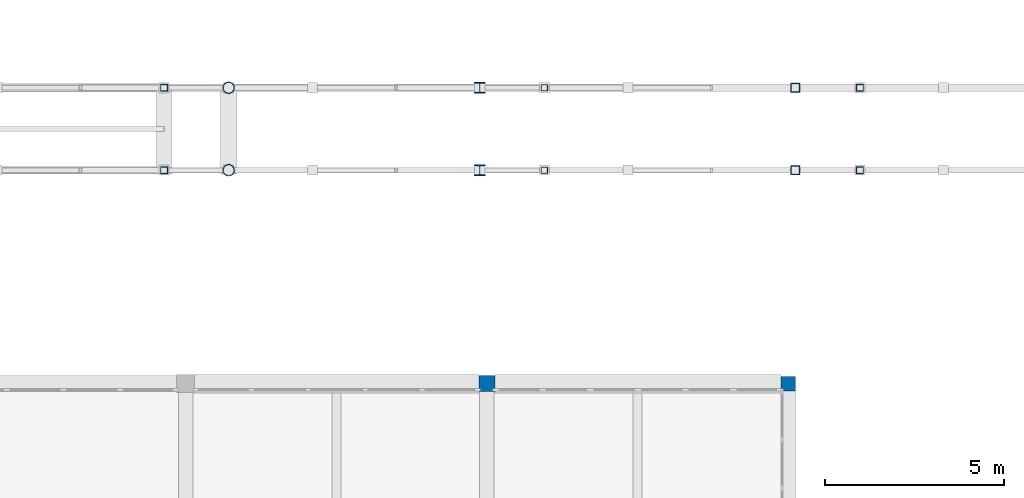
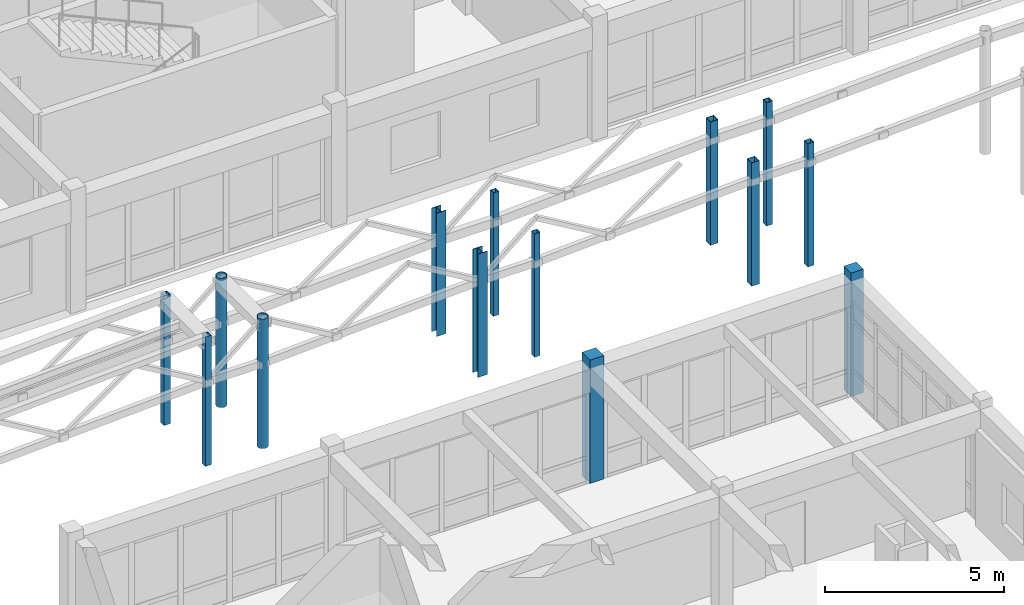
# One storey, part 3 of 147: 14 columns.
"""IFC4 building model written with IfcOpenShell, lengths in metres."""

import ifcopenshell
import ifcopenshell.guid

model = None  # the IFC model being written
_history = None  # IfcOwnerHistory: only IFC2X3 demands one
_inside = {}  # id of a spatial element -> (the spatial element, [elements in it])
_under = {}  # id of a project, library or spatial element -> (it, [spatial elements below it])
_declared = {}  # id of a project -> (the project, [libraries it declares])
_typed = {}  # id of a type object -> (the type object, [elements of that type])
_made_of = {}  # id of a material, layer set ... -> (it, [elements and type objects made of it])


def new_model(schema):
    """Start an empty IFC model of exactly this schema.

    Asked for "IFC4X3", IfcOpenShell would pick the latest addendum, in which some entities
    have other attributes; the version numbers below select the first issue.
    IFC2X3 requires an IfcOwnerHistory on every rooted entity: one is made here for all.
    """
    global model, _history
    if schema == "IFC4X3":
        model = ifcopenshell.file(schema_version=(4, 3, 0, 0))
    else:
        model = ifcopenshell.file(schema=schema)
    _inside.clear()
    _under.clear()
    _declared.clear()
    _typed.clear()
    _made_of.clear()
    _history = None
    if model.schema == "IFC2X3":
        org = make("IfcOrganization", Name="unknown")
        user = make(
            "IfcPersonAndOrganization",
            ThePerson=make("IfcPerson", FamilyName="unknown"),
            TheOrganization=org,
        )
        app = make(
            "IfcApplication",
            ApplicationDeveloper=org,
            Version="unknown",
            ApplicationFullName="unknown",
            ApplicationIdentifier="unknown",
        )
        _history = make(
            "IfcOwnerHistory",
            OwningUser=user,
            OwningApplication=app,
            ChangeAction="ADDED",
            CreationDate=0,
        )
    return model


def make(cls, **values):
    """One entity of the class cls with the attributes given. An attribute that is None is left unset."""
    return model.create_entity(
        cls, **{name: value for name, value in values.items() if value is not None}
    )


def rooted(cls, **values):
    """An entity with a GlobalId (a new one), such as an element, a storey or a relation."""
    return make(cls, GlobalId=ifcopenshell.guid.new(), OwnerHistory=_history, **values)


def si_unit(unit_type, name, prefix=None):
    """IfcSIUnit, for example si_unit("LENGTHUNIT", "METRE", prefix="MILLI")."""
    return make("IfcSIUnit", UnitType=unit_type, Prefix=prefix, Name=name)


def assignment(units):
    """IfcUnitAssignment: the units of a project."""
    return None if units is None else make("IfcUnitAssignment", Units=units)


def point(xyz):
    """IfcCartesianPoint."""
    return None if xyz is None else make("IfcCartesianPoint", Coordinates=xyz)


def direction(xyz):
    """IfcDirection."""
    return None if xyz is None else make("IfcDirection", DirectionRatios=xyz)


def frame(location, z_axis=None, x_axis=None):
    """IfcAxis2Placement3D, a coordinate frame: its origin and axes. An axis left out is left unset."""
    return make(
        "IfcAxis2Placement3D",
        Location=point(location),
        Axis=direction(z_axis),
        RefDirection=direction(x_axis),
    )


def frame_2d(location, x_axis=None):
    """IfcAxis2Placement2D, a coordinate frame in the plane: its origin and x axis."""
    return make(
        "IfcAxis2Placement2D", Location=point(location), RefDirection=direction(x_axis)
    )


def origin():
    """The frame at (0, 0, 0) with its axes left unset."""
    return frame((0.0, 0.0, 0.0))


def origin_2d():
    """The frame at (0, 0) in the plane with its x axis left unset."""
    return frame_2d((0.0, 0.0))


def place(relative_to, where):
    """IfcLocalPlacement: puts the frame where relative to a parent placement (None: the world)."""
    return make(
        "IfcLocalPlacement", PlacementRelTo=relative_to, RelativePlacement=where
    )


def context(
    kind, dimensions, precision=None, world=None, true_north=None, identifier=None
):
    """IfcGeometricRepresentationContext, for example the 3D "Model" context."""
    return make(
        "IfcGeometricRepresentationContext",
        ContextIdentifier=identifier,
        ContextType=kind,
        CoordinateSpaceDimension=dimensions,
        Precision=precision,
        WorldCoordinateSystem=world,
        TrueNorth=true_north,
    )


def subcontext(parent, identifier, kind, view, scale=None):
    """IfcGeometricRepresentationSubContext, for example "Body" below "Model"."""
    return make(
        "IfcGeometricRepresentationSubContext",
        ContextIdentifier=identifier,
        ContextType=kind,
        ParentContext=parent,
        TargetScale=scale,
        TargetView=view,
    )


def project(units=None, contexts=None):
    """IfcProject with its units and contexts."""
    return rooted(
        "IfcProject",
        Name="project",
        RepresentationContexts=contexts,
        UnitsInContext=assignment(units),
    )


def spatial(cls, under=None, at=None, **own):
    """A site, building, storey or space (cls), placed at a placement, below another one or the project."""
    s = rooted(cls, ObjectPlacement=at, **own)
    if under is not None:
        _under.setdefault(under.id(), (under, []))[1].append(s)
    return s


def profile(cls, at=None, kind="AREA", **sizes):
    """A parametric profile (cls). Its sizes go by their IFC names, for example OverallWidth=200.0."""
    return make(cls, ProfileType=kind, Position=at, **sizes)


def rectangle(**sizes):
    """IfcRectangleProfileDef."""
    return profile("IfcRectangleProfileDef", **sizes)


def hollow_rectangle(**sizes):
    """IfcRectangleHollowProfileDef."""
    return profile("IfcRectangleHollowProfileDef", **sizes)


def hollow_circle(**sizes):
    """IfcCircleHollowProfileDef."""
    return profile("IfcCircleHollowProfileDef", **sizes)


def i_section(**sizes):
    """IfcIShapeProfileDef."""
    return profile("IfcIShapeProfileDef", **sizes)


def extrude(swept, where, along, depth):
    """IfcExtrudedAreaSolid: the profile swept, set in the frame where, extruded along a direction by depth."""
    return make(
        "IfcExtrudedAreaSolid",
        SweptArea=swept,
        Position=where,
        ExtrudedDirection=direction(along),
        Depth=depth,
    )


def shape(context_of_items, identifier, shape_type, items):
    """IfcShapeRepresentation: the items that make up one representation, for example the "Body"."""
    return make(
        "IfcShapeRepresentation",
        ContextOfItems=context_of_items,
        RepresentationIdentifier=identifier,
        RepresentationType=shape_type,
        Items=items,
    )


def material(Name=None, Category=None):
    """IfcMaterial."""
    return make("IfcMaterial", Name=Name, Category=Category)


def material_profile(
    of_material, cross_section, Name=None, Category=None, Priority=None
):
    """IfcMaterialProfile: a cross section and its material."""
    return make(
        "IfcMaterialProfile",
        Name=Name,
        Material=of_material,
        Profile=cross_section,
        Priority=Priority,
        Category=Category,
    )


def profile_set(profiles, Name=None, composite=None):
    """IfcMaterialProfileSet."""
    return make(
        "IfcMaterialProfileSet",
        Name=Name,
        MaterialProfiles=profiles,
        CompositeProfile=composite,
    )


def made_of(thing, what):
    """Note that an element or type object is made of a material, layer set ...; save() writes the relation."""
    if what is not None:
        _made_of.setdefault(what.id(), (what, []))[1].append(thing)
    return thing


def type_object(cls, material=None, **own):
    """A type object (cls), such as IfcWallType, which elements share."""
    return made_of(rooted(cls, **own), material)


def element(
    cls,
    number,
    at=None,
    inside=None,
    cuts=None,
    type_object=None,
    material=None,
    context=None,
    identifier="Body",
    shape_type=None,
    held_by="IfcProductDefinitionShape",
    body=None,
    shapes=None,
    **own,
):
    """One element of the class cls, such as IfcWall. Its Tag is "e" and its number.

    at: its placement. inside: the storey or other place that contains it. cuts: it is an
    opening in that element (IfcRelVoidsElement). A single representation is given by context,
    identifier, shape_type and body (its items); several are given by shapes. held_by: the class
    of the entity that holds the representations. save() writes the other relations.
    """
    e = rooted(cls, Tag="e%d" % number, ObjectPlacement=at, **own)
    if body is not None:
        shapes = [shape(context, identifier, shape_type, body)]
    if shapes is not None:
        e.Representation = make(held_by, Representations=shapes)
    if inside is not None:
        _inside.setdefault(inside.id(), (inside, []))[1].append(e)
    if cuts is not None:
        rooted(
            "IfcRelVoidsElement", RelatingBuildingElement=cuts, RelatedOpeningElement=e
        )
    if type_object is not None:
        _typed.setdefault(type_object.id(), (type_object, []))[1].append(e)
    return made_of(e, material)


def aggregate(whole, parts):
    """IfcRelAggregates: a whole, such as a stair, and the parts it consists of."""
    return rooted("IfcRelAggregates", RelatingObject=whole, RelatedObjects=parts)


def save(model, path):
    """Write the relations noted so far, then the file.

    IfcRelAggregates (storeys below a building ...), IfcRelContainedInSpatialStructure (elements
    in a storey), IfcRelDefinesByType, IfcRelAssociatesMaterial and IfcRelDeclares: one each for
    every whole, place, type object, material and project.
    """
    for whole, parts in _under.values():
        aggregate(whole, parts)
    for where, things in _inside.values():
        rooted(
            "IfcRelContainedInSpatialStructure",
            RelatedElements=things,
            RelatingStructure=where,
        )
    for kind, things in _typed.values():
        rooted("IfcRelDefinesByType", RelatedObjects=things, RelatingType=kind)
    for what, things in _made_of.values():
        rooted("IfcRelAssociatesMaterial", RelatedObjects=things, RelatingMaterial=what)
    for by, libraries in _declared.values():
        rooted("IfcRelDeclares", RelatingContext=by, RelatedDefinitions=libraries)
    model.write(path)


model = new_model("IFC4")

# Units and contexts
model_context = context("Model", 3, precision=1e-05, world=origin(), true_north=direction((0.0, 1.0)))
body_context = subcontext(model_context, "Body", "Model", "MODEL_VIEW")
ifc_project = project(units=[si_unit("LENGTHUNIT", "METRE"), si_unit("AREAUNIT", "SQUARE_METRE"), si_unit("VOLUMEUNIT", "CUBIC_METRE"), si_unit("PLANEANGLEUNIT", "RADIAN"), si_unit("MASSUNIT", "GRAM", prefix="KILO")], contexts=[model_context])

# Site, building, storey
site_placement = place(None, origin())
site = spatial("IfcSite", under=ifc_project, at=site_placement, CompositionType="ELEMENT")
building_placement = place(site_placement, origin())
building = spatial("IfcBuilding", under=site, at=building_placement, Name="Malvenik Polytechnic", CompositionType="ELEMENT")
storey_placement = place(building_placement, frame((0.0, 0.0, 5.10009765625)))
storey = spatial("IfcBuildingStorey", under=building, at=storey_placement, Name="L01", CompositionType="ELEMENT", Elevation=5.10009765625)

# Columns
ifc_material_1 = material(Name="Concrete C35/45", Category="concrete")
ifc_material_profile_1 = material_profile(ifc_material_1, rectangle(XDim=0.449951171875, YDim=0.449951171875, at=origin_2d()), Name="RC COL 450x450")
ifc_profile_set_1 = profile_set([ifc_material_profile_1], Name="Concrete C35/45")
column_type_1 = type_object("IfcColumnType", Name="STR-COL-C-09", PredefinedType="COLUMN", material=ifc_profile_set_1)
column_1_placement = place(storey_placement, frame((42.0, 36.0, 0.0), z_axis=(0.0, 0.0, 1.0), x_axis=(1.0, 0.0, 0.0)))
element("IfcColumn", 1, at=column_1_placement, inside=storey, type_object=column_type_1, Name="Column C-09 L01 (42.0,36.0)", PredefinedType="COLUMN", context=body_context, shape_type="SweptSolid", body=[
    extrude(rectangle(XDim=0.449951171875, YDim=0.449951171875, at=origin_2d()), origin(), (0.0, 0.0, 1.0), 4.199951171875),
])
ifc_material_2 = material(Name="Concrete C30/37", Category="concrete")
ifc_material_profile_2 = material_profile(ifc_material_2, rectangle(XDim=0.39990234375, YDim=0.39990234375, at=origin_2d()), Name="RC COL 400x400")
ifc_profile_set_2 = profile_set([ifc_material_profile_2], Name="Concrete C30/37")
column_type_2 = type_object("IfcColumnType", Name="STR-COL-C-10", PredefinedType="COLUMN", material=ifc_profile_set_2)
column_2_placement = place(storey_placement, frame((50.39990234375, 36.0, 0.0), z_axis=(0.0, 0.0, 1.0), x_axis=(1.0, 0.0, 0.0)))
element("IfcColumn", 2, at=column_2_placement, inside=storey, type_object=column_type_2, Name="Column C-10 L01 (50.4,36.0)", PredefinedType="COLUMN", context=body_context, shape_type="SweptSolid", body=[
    extrude(rectangle(XDim=0.39990234375, YDim=0.39990234375, at=origin_2d()), origin(), (0.0, 0.0, 1.0), 4.199951171875),
])
ifc_material_3 = material(Name="Steel S355J2H", Category="steel")
ifc_material_profile_3 = material_profile(ifc_material_3, hollow_rectangle(XDim=0.25, YDim=0.25, WallThickness=0.010009765625, at=origin_2d()), Name="SHS 250x250x10.0")
ifc_profile_set_3 = profile_set([ifc_material_profile_3], Name="Steel S355J2H")
column_type_3 = type_object("IfcColumnType", Name="STR-SCOL-SC-01", PredefinedType="COLUMN", material=ifc_profile_set_3)
for number, where, z_axis, x_axis, name in (
    (3, (50.60009765625, 41.949951171875, 0.0), (0.0, 0.0, 1.0), (1.0, 0.0, 0.0), "Bridge-Ramp Support Column SC-01 L01"),
    (4, (50.60009765625, 44.25, 0.0), (0.0, 0.0, 1.0), (1.0, 0.0, 0.0), "Bridge-Ramp Support Column SC-01 L01"),
):
    element("IfcColumn", number, at=place(storey_placement, frame(where, z_axis=z_axis, x_axis=x_axis)), inside=storey, type_object=column_type_3, Name=name, PredefinedType="COLUMN", context=body_context, shape_type="SweptSolid", body=[
        extrude(hollow_rectangle(XDim=0.25, YDim=0.25, WallThickness=0.010009765625, at=origin_2d()), origin(), (0.0, 0.0, 1.0), 4.199951171875),
    ])
ifc_material_profile_4 = material_profile(ifc_material_3, hollow_rectangle(XDim=0.199951171875, YDim=0.199951171875, WallThickness=0.010009765625, at=origin_2d()), Name="SHS 200x200x10.0")
ifc_profile_set_4 = profile_set([ifc_material_profile_4], Name="Steel S355J2H")
column_type_4 = type_object("IfcColumnType", Name="STR-SCOL-SC-02", PredefinedType="COLUMN", material=ifc_profile_set_4)
for number, where, z_axis, x_axis, name in (
    (5, (33.0, 41.949951171875, 0.0), (0.0, 0.0, 1.0), (1.0, 0.0, 0.0), "Bridge-Ramp Support Column SC-02 L01"),
    (6, (33.0, 44.25, 0.0), (0.0, 0.0, 1.0), (1.0, 0.0, 0.0), "Bridge-Ramp Support Column SC-02 L01"),
):
    element("IfcColumn", number, at=place(storey_placement, frame(where, z_axis=z_axis, x_axis=x_axis)), inside=storey, type_object=column_type_4, Name=name, PredefinedType="COLUMN", context=body_context, shape_type="SweptSolid", body=[
        extrude(hollow_rectangle(XDim=0.199951171875, YDim=0.199951171875, WallThickness=0.010009765625, at=origin_2d()), origin(), (0.0, 0.0, 1.0), 4.409912109375),
    ])
for number, where, z_axis, x_axis, name in (
    (7, (52.39990234375, 41.949951171875, 0.0), (0.0, 0.0, 1.0), (1.0, 0.0, 0.0), "Bridge-Ramp Support Column SC-02 L01"),
    (8, (52.39990234375, 44.25, 0.0), (0.0, 0.0, 1.0), (1.0, 0.0, 0.0), "Bridge-Ramp Support Column SC-02 L01"),
):
    element("IfcColumn", number, at=place(storey_placement, frame(where, z_axis=z_axis, x_axis=x_axis)), inside=storey, type_object=column_type_4, Name=name, PredefinedType="COLUMN", context=body_context, shape_type="SweptSolid", body=[
        extrude(hollow_rectangle(XDim=0.199951171875, YDim=0.199951171875, WallThickness=0.010009765625, at=origin_2d()), origin(), (0.0, 0.0, 1.0), 4.199951171875),
    ])
ifc_material_profile_5 = material_profile(ifc_material_3, hollow_circle(Radius=0.161865234375, WallThickness=0.012451171875, at=origin_2d()), Name="CHS 323.9x12.5")
ifc_profile_set_5 = profile_set([ifc_material_profile_5], Name="Steel S355J2H")
column_type_5 = type_object("IfcColumnType", Name="STR-SCOL-SC-04", PredefinedType="COLUMN", material=ifc_profile_set_5)
for number, where, z_axis, x_axis, name in (
    (9, (34.800048828125, 41.949951171875, 0.0), (0.0, 0.0, 1.0), (1.0, 0.0, 0.0), "Bridge-Ramp Support Column SC-04 L01"),
    (10, (34.800048828125, 44.25, 0.0), (0.0, 0.0, 1.0), (1.0, 0.0, 0.0), "Bridge-Ramp Support Column SC-04 L01"),
):
    element("IfcColumn", number, at=place(storey_placement, frame(where, z_axis=z_axis, x_axis=x_axis)), inside=storey, type_object=column_type_5, Name=name, PredefinedType="COLUMN", context=body_context, shape_type="SweptSolid", body=[
        extrude(hollow_circle(Radius=0.161865234375, WallThickness=0.012451171875, at=origin_2d()), origin(), (0.0, 0.0, 1.0), 4.409912109375),
    ])
ifc_material_4 = material(Name="Steel S355", Category="steel")
ifc_material_profile_6 = material_profile(ifc_material_4, i_section(OverallWidth=0.300048828125, OverallDepth=0.300048828125, WebThickness=0.010986328125, FlangeThickness=0.01904296875, FilletRadius=0.027099609375, at=origin_2d()), Name="HEB 300")
ifc_profile_set_6 = profile_set([ifc_material_profile_6], Name="Steel S355")
column_type_6 = type_object("IfcColumnType", Name="STR-SCOL-SC-05", PredefinedType="COLUMN", material=ifc_profile_set_6)
for number, where, z_axis, x_axis, name in (
    (11, (41.800048828125, 41.949951171875, 0.0), (0.0, 0.0, 1.0), (1.0, 0.0, 0.0), "Bridge-Ramp Support Column SC-05 L01"),
    (12, (41.800048828125, 44.25, 0.0), (0.0, 0.0, 1.0), (1.0, 0.0, 0.0), "Bridge-Ramp Support Column SC-05 L01"),
):
    element("IfcColumn", number, at=place(storey_placement, frame(where, z_axis=z_axis, x_axis=x_axis)), inside=storey, type_object=column_type_6, Name=name, PredefinedType="COLUMN", context=body_context, shape_type="SweptSolid", body=[
        extrude(i_section(OverallWidth=0.300048828125, OverallDepth=0.300048828125, WebThickness=0.010986328125, FlangeThickness=0.01904296875, FilletRadius=0.027099609375, at=origin_2d()), origin(), (0.0, 0.0, 1.0), 4.199951171875),
    ])
ifc_material_profile_7 = material_profile(ifc_material_3, hollow_rectangle(XDim=0.179931640625, YDim=0.179931640625, WallThickness=0.008056640625, at=origin_2d()), Name="SHS 180x180x8.0")
ifc_profile_set_7 = profile_set([ifc_material_profile_7], Name="Steel S355J2H")
column_type_7 = type_object("IfcColumnType", Name="STR-SCOL-SC-06", PredefinedType="COLUMN", material=ifc_profile_set_7)
for number, where, z_axis, x_axis, name in (
    (13, (43.60009765625, 41.949951171875, 0.0), (0.0, 0.0, 1.0), (1.0, 0.0, 0.0), "Bridge-Ramp Support Column SC-06 L01"),
    (14, (43.60009765625, 44.25, 0.0), (0.0, 0.0, 1.0), (1.0, 0.0, 0.0), "Bridge-Ramp Support Column SC-06 L01"),
):
    element("IfcColumn", number, at=place(storey_placement, frame(where, z_axis=z_axis, x_axis=x_axis)), inside=storey, type_object=column_type_7, Name=name, PredefinedType="COLUMN", context=body_context, shape_type="SweptSolid", body=[
        extrude(hollow_rectangle(XDim=0.179931640625, YDim=0.179931640625, WallThickness=0.008056640625, at=origin_2d()), origin(), (0.0, 0.0, 1.0), 4.199951171875),
    ])

save(model, "model.ifc")
